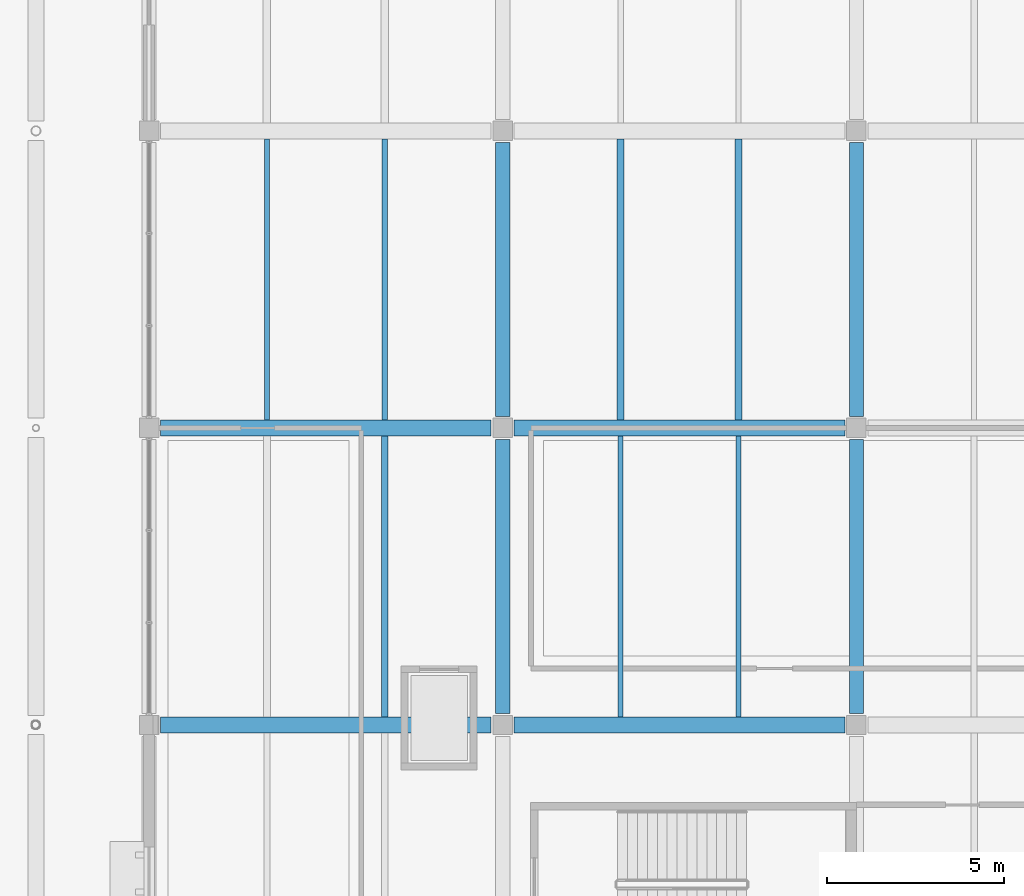
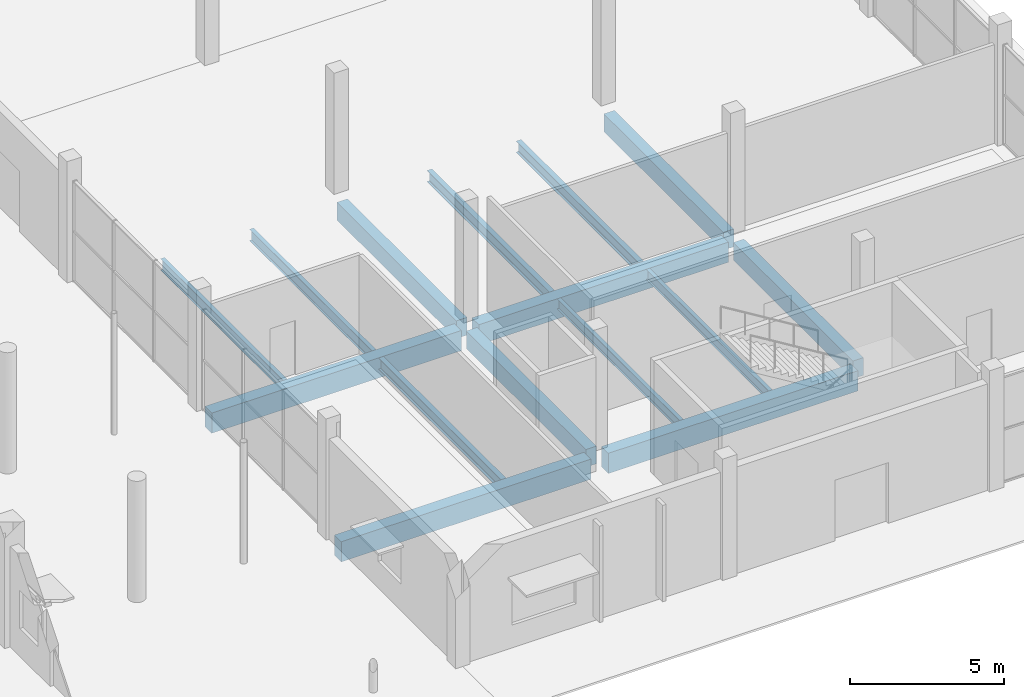
# One storey, part 66 of 130: 15 beams.
"""IFC4 building model written with IfcOpenShell, lengths in metres."""

from ifc_helpers import new_model, si_unit, direction, frame, origin, origin_2d, place, context, subcontext, project, spatial, rectangle, i_section, extrude, material, material_profile, profile_set, type_object, element, save


model = new_model("IFC4")

# Units and contexts
model_context = context("Model", 3, precision=1e-05, world=origin(), true_north=direction((0.0, 1.0)))
body_context = subcontext(model_context, "Body", "Model", "MODEL_VIEW")
ifc_project = project(units=[si_unit("LENGTHUNIT", "METRE"), si_unit("AREAUNIT", "SQUARE_METRE"), si_unit("VOLUMEUNIT", "CUBIC_METRE"), si_unit("PLANEANGLEUNIT", "RADIAN"), si_unit("MASSUNIT", "GRAM", prefix="KILO"), si_unit("THERMODYNAMICTEMPERATUREUNIT", "KELVIN")], contexts=[model_context])

# Site, building, storey
site_placement = place(None, origin())
site = spatial("IfcSite", under=ifc_project, at=site_placement, CompositionType="ELEMENT")
building_placement = place(site_placement, origin())
building = spatial("IfcBuilding", under=site, at=building_placement, Name="Nduvali Passage Aquatics Centre", CompositionType="ELEMENT")
storey_placement = place(building_placement, origin())
storey = spatial("IfcBuildingStorey", under=building, at=storey_placement, Name="L00", CompositionType="ELEMENT", Elevation=0.0)

# Beams
ifc_material_1 = material(Name="Concrete C40/50", Category="concrete")
ifc_material_profile_1 = material_profile(ifc_material_1, rectangle(XDim=0.39990234375, YDim=0.699951171875, at=origin_2d()), Name="RC 400x700")
ifc_profile_set_1 = profile_set([ifc_material_profile_1], Name="Concrete C40/50")
beam_type_1 = type_object("IfcBeamType", Name="STR-BM-RC4070", PredefinedType="BEAM", material=ifc_profile_set_1)
for number, where, z_axis, x_axis, name in (
    (1, (148.0, 33.925048828125, -0.64990234375), (0.0, 1.0, 0.0), (-1.0, 0.0, 0.0), "L00 Primary Y-Girder B3A-0232"),
    (2, (148.0, 42.324951171875, -0.64990234375), (0.0, 1.0, 0.0), (-1.0, 0.0, 0.0), "L00 Primary Y-Girder B3A-0233"),
    (3, (158.0, 33.925048828125, -0.64990234375), (0.0, 1.0, 0.0), (-1.0, 0.0, 0.0), "L00 Primary Y-Girder B3A-0240"),
    (4, (158.0, 42.324951171875, -0.64990234375), (0.0, 1.0, 0.0), (-1.0, 0.0, 0.0), "L00 Primary Y-Girder B3A-0241"),
):
    element("IfcBeam", number, at=place(storey_placement, frame(where, z_axis=z_axis, x_axis=x_axis)), inside=storey, type_object=beam_type_1, Name=name, PredefinedType="BEAM", context=body_context, shape_type="SweptSolid", body=[
        extrude(rectangle(XDim=0.39990234375, YDim=0.699951171875, at=origin_2d()), origin(), (0.0, 0.0, 1.0), 7.75),
    ])
ifc_material_profile_2 = material_profile(ifc_material_1, rectangle(XDim=0.449951171875, YDim=0.800048828125, at=origin_2d()), Name="RC 450x800")
ifc_profile_set_2 = profile_set([ifc_material_profile_2], Name="Concrete C40/50")
beam_type_2 = type_object("IfcBeamType", Name="STR-BM-RC4580", PredefinedType="BEAM", material=ifc_profile_set_2)
for number, where, z_axis, x_axis, name in (
    (5, (138.324951171875, 33.60009765625, -0.699951171875), (1.0, 0.0, 0.0), (0.0, 1.0, 0.0), "L00 Primary X-Girder B2A-0035"),
    (6, (148.324951171875, 33.60009765625, -0.699951171875), (1.0, 0.0, 0.0), (0.0, 1.0, 0.0), "L00 Primary X-Girder B2A-0036"),
    (7, (138.324951171875, 42.0, -0.699951171875), (1.0, 0.0, 0.0), (0.0, 1.0, 0.0), "L00 Primary X-Girder B2A-0048"),
    (8, (148.324951171875, 42.0, -0.699951171875), (1.0, 0.0, 0.0), (0.0, 1.0, 0.0), "L00 Primary X-Girder B2A-0049"),
):
    element("IfcBeam", number, at=place(storey_placement, frame(where, z_axis=z_axis, x_axis=x_axis)), inside=storey, type_object=beam_type_2, Name=name, PredefinedType="BEAM", context=body_context, shape_type="SweptSolid", body=[
        extrude(rectangle(XDim=0.449951171875, YDim=0.800048828125, at=origin_2d()), origin(), (0.0, 0.0, 1.0), 9.35009765625),
    ])
ifc_material_2 = material(Name="Steel S355", Category="steel")
ifc_material_profile_3 = material_profile(ifc_material_2, i_section(OverallWidth=0.18994140625, OverallDepth=0.449951171875, WebThickness=0.009521484375, FlangeThickness=0.0146484375, FilletRadius=0.02099609375, at=origin_2d()), Name="IPE 450")
ifc_profile_set_3 = profile_set([ifc_material_profile_3], Name="Steel S355")
beam_type_3 = type_object("IfcBeamType", Name="STR-JST-IPE450", PredefinedType="JOIST", material=ifc_profile_set_3)
for number, where, z_axis, x_axis, name in (
    (9, (144.666748046875, 33.824951171875, -0.529052734375), (0.0, 1.0, 0.0), (-1.0, 0.0, 0.0), "L00 Secondary Joist J5B-0330"),
    (10, (151.333251953125, 42.22509765625, -0.529052734375), (0.0, 1.0, 0.0), (-1.0, 0.0, 0.0), "L00 Secondary Joist J5B-0337"),
    (11, (154.666748046875, 42.22509765625, -0.529052734375), (0.0, 1.0, 0.0), (-1.0, 0.0, 0.0), "L00 Secondary Joist J5B-0338"),
):
    element("IfcBeam", number, at=place(storey_placement, frame(where, z_axis=z_axis, x_axis=x_axis)), inside=storey, type_object=beam_type_3, Name=name, PredefinedType="JOIST", context=body_context, shape_type="SweptSolid", body=[
        extrude(i_section(OverallWidth=0.18994140625, OverallDepth=0.449951171875, WebThickness=0.009521484375, FlangeThickness=0.0146484375, FilletRadius=0.02099609375, at=origin_2d()), origin(), (0.0, 0.0, 1.0), 7.949951171875),
    ])
ifc_material_profile_4 = material_profile(ifc_material_2, i_section(OverallWidth=0.14208984375, OverallDepth=0.4033203125, WebThickness=0.0068359375, FlangeThickness=0.01123046875, FilletRadius=0.01025390625, at=origin_2d()), Name="UKB 406x140x46")
ifc_profile_set_4 = profile_set([ifc_material_profile_4], Name="Steel S355")
beam_type_4 = type_object("IfcBeamType", Name="STR-JST-UKB406L", PredefinedType="JOIST", material=ifc_profile_set_4)
for number, where, z_axis, x_axis, name in (
    (12, (151.333251953125, 33.824951171875, -0.505615234375), (0.0, 1.0, 0.0), (-1.0, 0.0, 0.0), "L00 Secondary Joist J1B-0331"),
    (13, (154.666748046875, 33.824951171875, -0.505615234375), (0.0, 1.0, 0.0), (-1.0, 0.0, 0.0), "L00 Secondary Joist J1B-0332"),
):
    element("IfcBeam", number, at=place(storey_placement, frame(where, z_axis=z_axis, x_axis=x_axis)), inside=storey, type_object=beam_type_4, Name=name, PredefinedType="JOIST", context=body_context, shape_type="SweptSolid", body=[
        extrude(i_section(OverallWidth=0.14208984375, OverallDepth=0.4033203125, WebThickness=0.0068359375, FlangeThickness=0.01123046875, FilletRadius=0.01025390625, at=origin_2d()), origin(), (0.0, 0.0, 1.0), 7.949951171875),
    ])
ifc_material_profile_5 = material_profile(ifc_material_2, i_section(OverallWidth=0.15283203125, OverallDepth=0.45458984375, WebThickness=0.008056640625, FlangeThickness=0.01318359375, FilletRadius=0.01025390625, at=origin_2d()), Name="UKB 457x152x60")
ifc_profile_set_5 = profile_set([ifc_material_profile_5], Name="Steel S355")
beam_type_5 = type_object("IfcBeamType", Name="STR-JST-UKB457L", PredefinedType="JOIST", material=ifc_profile_set_5)
for number, where, z_axis, x_axis, name in (
    (14, (141.333251953125, 42.22509765625, -0.53125), (0.0, 1.0, 0.0), (-1.0, 0.0, 0.0), "L00 Secondary Joist J1A-0335"),
    (15, (144.666748046875, 42.22509765625, -0.53125), (0.0, 1.0, 0.0), (-1.0, 0.0, 0.0), "L00 Secondary Joist J1A-0336"),
):
    element("IfcBeam", number, at=place(storey_placement, frame(where, z_axis=z_axis, x_axis=x_axis)), inside=storey, type_object=beam_type_5, Name=name, PredefinedType="JOIST", context=body_context, shape_type="SweptSolid", body=[
        extrude(i_section(OverallWidth=0.15283203125, OverallDepth=0.45458984375, WebThickness=0.008056640625, FlangeThickness=0.01318359375, FilletRadius=0.01025390625, at=origin_2d()), origin(), (0.0, 0.0, 1.0), 7.949951171875),
    ])

save(model, "model.ifc")
